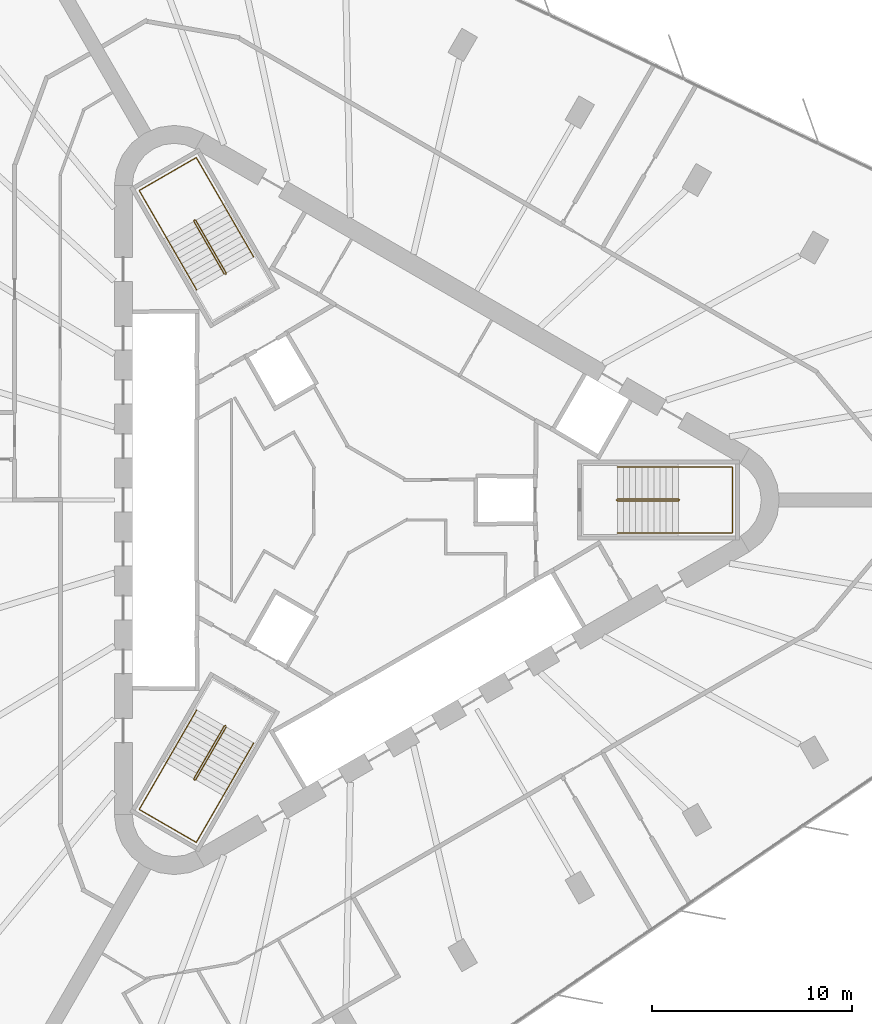
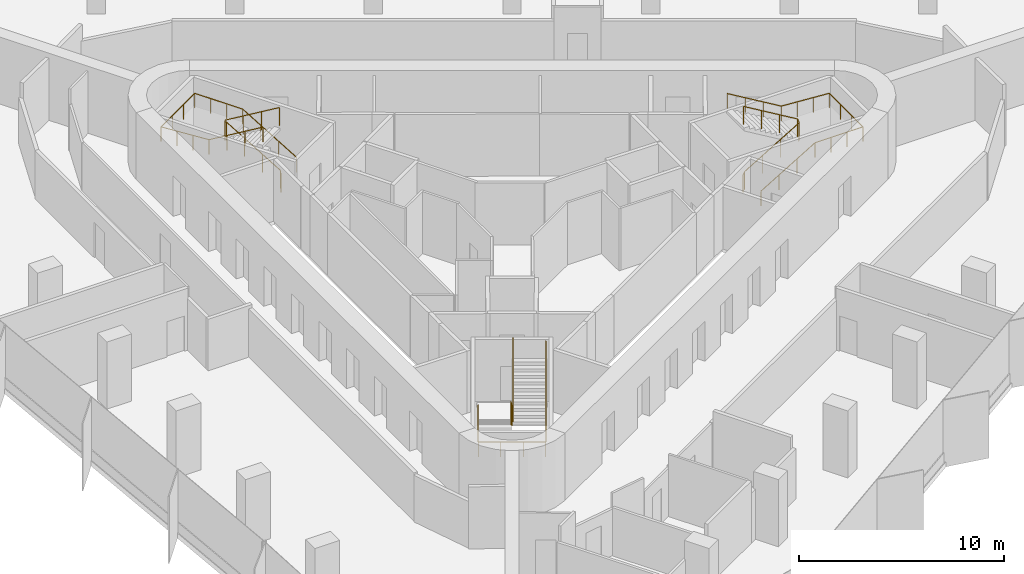
# One storey, part 13 of 13: 6 railings.
"""IFC4 building model written with IfcOpenShell, lengths in metres."""

from ifc_helpers import new_model, si_unit, direction, frame, origin, origin_2d, place, context, subcontext, project, spatial, circle, extrude, material, type_object, element, save


model = new_model("IFC4")

# Units and contexts
model_context = context("Model", 3, precision=1e-05, world=origin(), true_north=direction((0.0, 1.0)))
body_context = subcontext(model_context, "Body", "Model", "MODEL_VIEW")
ifc_project = project(units=[si_unit("LENGTHUNIT", "METRE"), si_unit("AREAUNIT", "SQUARE_METRE"), si_unit("VOLUMEUNIT", "CUBIC_METRE"), si_unit("PLANEANGLEUNIT", "RADIAN"), si_unit("MASSUNIT", "GRAM", prefix="KILO")], contexts=[model_context])

# Site, building, storey
site_placement = place(None, origin())
site = spatial("IfcSite", under=ifc_project, at=site_placement, CompositionType="ELEMENT")
building_placement = place(site_placement, origin())
building = spatial("IfcBuilding", under=site, at=building_placement, Name="Tanit Gate Tower", CompositionType="ELEMENT")
storey_placement = place(building_placement, frame((0.0, 0.0, 185.199951171875)))
storey = spatial("IfcBuildingStorey", under=building, at=storey_placement, Name="L40", CompositionType="ELEMENT", Elevation=185.199951171875)

# Railings
ifc_material_1 = material(Name="Stainless steel balustrade", Category="steel")
railing_type_1 = type_object("IfcRailingType", Name="INT-STAIR-GUARD", PredefinedType="GUARDRAIL", material=ifc_material_1)
railing_1_placement = place(storey_placement, frame((13.044921875, 0.0048828125, 0.0)))
element("IfcRailing", 1, at=railing_1_placement, inside=storey, type_object=railing_type_1, Name="L40 S1 stair guard 1", PredefinedType="GUARDRAIL", context=body_context, shape_type="SweptSolid", body=[
    extrude(circle(Radius=0.02392578125, at=origin_2d()), frame((0.0, 0.0, 1.076171875), z_axis=(0.0, -1.0, 0.0), x_axis=(1.0, 0.0, 0.0)), (0.0, 0.0, 1.0), 0.009765625),
    extrude(circle(Radius=0.02392578125, at=origin_2d()), frame((0.0, -0.009765625, 1.076171875), z_axis=(0.256435381639, -0.256435381639, 0.931923704005), x_axis=(0.707106781187, 0.707106781187, 0.0)), (0.0, 0.0, 1.0), 0.195068359375),
    extrude(circle(Radius=0.02392578125, at=origin_2d()), frame((0.050048828125, -0.059814453125, 1.2578125), z_axis=(0.859041732319, 0.0, 0.511905559781), x_axis=(0.0, 1.0, 0.0)), (0.0, 0.0, 1.0), 3.5517578125),
    extrude(circle(Radius=0.02392578125, at=origin_2d()), frame((3.10107421875, -0.059814453125, 3.076171875), z_axis=(0.707106781187, 0.707106781187, 0.0), x_axis=(-0.707106781187, 0.707106781187, 0.0)), (0.0, 0.0, 1.0), 0.07080078125),
    extrude(circle(Radius=0.02392578125, at=origin_2d()), frame((3.151123046875, -0.009765625, 3.076171875), z_axis=(0.0, 1.0, 0.0), x_axis=(-1.0, 0.0, 0.0)), (0.0, 0.0, 1.0), 0.009765625),
    extrude(circle(Radius=0.02392578125, at=origin_2d()), frame((3.151123046875, 0.0, 3.076171875), z_axis=(-0.256435381639, 0.256435381639, 0.931923704005), x_axis=(-0.707106781187, -0.707106781187, 0.0)), (0.0, 0.0, 1.0), 0.195068359375),
    extrude(circle(Radius=0.02392578125, at=origin_2d()), frame((3.10107421875, 0.050048828125, 3.2578125), z_axis=(-0.859041732319, 0.0, 0.511905559781), x_axis=(0.0, -1.0, 0.0)), (0.0, 0.0, 1.0), 3.5517578125),
    extrude(circle(Radius=0.02099609375, at=origin_2d()), origin(), (0.0, 0.0, 1.0), 1.052001953125),
    extrude(circle(Radius=0.02099609375, at=origin_2d()), frame((0.0, -0.009765625, 0.0)), (0.0, 0.0, 1.0), 1.052001953125),
    extrude(circle(Radius=0.02099609375, at=origin_2d()), frame((0.050048828125, -0.059814453125, 0.181884765625)), (0.0, 0.0, 1.0), 1.052001953125),
    extrude(circle(Radius=0.02099609375, at=origin_2d()), frame((1.067138671875, -0.059814453125, 0.787841796875)), (0.0, 0.0, 1.0), 1.052001953125),
    extrude(circle(Radius=0.02099609375, at=origin_2d()), frame((2.083984375, -0.059814453125, 1.39404296875)), (0.0, 0.0, 1.0), 1.052001953125),
    extrude(circle(Radius=0.02099609375, at=origin_2d()), frame((3.10107421875, -0.059814453125, 2.0)), (0.0, 0.0, 1.0), 1.052001953125),
    extrude(circle(Radius=0.02099609375, at=origin_2d()), frame((3.151123046875, -0.009765625, 2.0)), (0.0, 0.0, 1.0), 1.052001953125),
    extrude(circle(Radius=0.02099609375, at=origin_2d()), frame((3.151123046875, 0.0, 2.0)), (0.0, 0.0, 1.0), 1.052001953125),
    extrude(circle(Radius=0.02099609375, at=origin_2d()), frame((3.10107421875, 0.050048828125, 2.181884765625)), (0.0, 0.0, 1.0), 1.052001953125),
    extrude(circle(Radius=0.02099609375, at=origin_2d()), frame((2.083984375, 0.050048828125, 2.787841796875)), (0.0, 0.0, 1.0), 1.052001953125),
    extrude(circle(Radius=0.02099609375, at=origin_2d()), frame((1.067138671875, 0.050048828125, 3.39404296875)), (0.0, 0.0, 1.0), 1.052001953125),
    extrude(circle(Radius=0.02099609375, at=origin_2d()), frame((0.050048828125, 0.050048828125, 4.0)), (0.0, 0.0, 1.0), 1.052001953125),
])
railing_2_placement = place(storey_placement, frame((-6.527099609375, 11.29345703125, 0.0)))
element("IfcRailing", 2, at=railing_2_placement, inside=storey, type_object=railing_type_1, Name="L40 S2 stair guard 1", PredefinedType="GUARDRAIL", context=body_context, shape_type="SweptSolid", body=[
    extrude(circle(Radius=0.02392578125, at=origin_2d()), frame((0.0, 0.0, 1.076171875), z_axis=(0.868243142124, 0.496138938357, 0.0), x_axis=(-0.496138938357, 0.868243142124, 0.0)), (0.0, 0.0, 1.0), 0.01171875),
    extrude(circle(Radius=0.02392578125, at=origin_2d()), frame((0.01025390625, 0.005859375, 1.076171875), z_axis=(0.093819657636, 0.350260055175, 0.93194193252), x_axis=(-0.965948051503, 0.258736085224, 0.0)), (0.0, 0.0, 1.0), 0.195068359375),
    extrude(circle(Radius=0.02392578125, at=origin_2d()), frame((0.028564453125, 0.07421875, 1.2578125), z_axis=(-0.429472220917, 0.743822504634, 0.512134448226), x_axis=(-0.866012246495, -0.500022788402, 0.0)), (0.0, 0.0, 1.0), 3.550048828125),
    extrude(circle(Radius=0.02392578125, at=origin_2d()), frame((-1.49609375, 2.71484375, 3.076171875), z_axis=(-0.965715946433, 0.259601060869, 0.0), x_axis=(-0.259601060869, -0.965715946433, 0.0)), (0.0, 0.0, 1.0), 0.070556640625),
    extrude(circle(Radius=0.02392578125, at=origin_2d()), frame((-1.564208984375, 2.733154296875, 3.076171875), z_axis=(-0.873197702015, -0.487366159264, 0.0), x_axis=(0.487366159264, -0.873197702015, 0.0)), (0.0, 0.0, 1.0), 0.011962890625),
    extrude(circle(Radius=0.02392578125, at=origin_2d()), frame((-1.57470703125, 2.727294921875, 3.076171875), z_axis=(-0.093819657636, -0.350260055175, 0.93194193252), x_axis=(0.965948051503, -0.258736085224, 0.0)), (0.0, 0.0, 1.0), 0.195068359375),
    extrude(circle(Radius=0.02392578125, at=origin_2d()), frame((-1.593017578125, 2.658935546875, 3.2578125), z_axis=(0.429472220917, -0.743822504634, 0.512134448226), x_axis=(0.866012246495, 0.500022788402, 0.0)), (0.0, 0.0, 1.0), 3.550048828125),
    extrude(circle(Radius=0.02099609375, at=origin_2d()), origin(), (0.0, 0.0, 1.0), 1.052001953125),
    extrude(circle(Radius=0.02099609375, at=origin_2d()), frame((0.01025390625, 0.005859375, 0.0)), (0.0, 0.0, 1.0), 1.052001953125),
    extrude(circle(Radius=0.02099609375, at=origin_2d()), frame((0.028564453125, 0.07421875, 0.181884765625)), (0.0, 0.0, 1.0), 1.052001953125),
    extrude(circle(Radius=0.02099609375, at=origin_2d()), frame((-0.479736328125, 0.954345703125, 0.787841796875)), (0.0, 0.0, 1.0), 1.052001953125),
    extrude(circle(Radius=0.02099609375, at=origin_2d()), frame((-0.98779296875, 1.834716796875, 1.39404296875)), (0.0, 0.0, 1.0), 1.052001953125),
    extrude(circle(Radius=0.02099609375, at=origin_2d()), frame((-1.49609375, 2.71484375, 2.0)), (0.0, 0.0, 1.0), 1.052001953125),
    extrude(circle(Radius=0.02099609375, at=origin_2d()), frame((-1.564208984375, 2.733154296875, 2.0)), (0.0, 0.0, 1.0), 1.052001953125),
    extrude(circle(Radius=0.02099609375, at=origin_2d()), frame((-1.57470703125, 2.727294921875, 2.0)), (0.0, 0.0, 1.0), 1.052001953125),
    extrude(circle(Radius=0.02099609375, at=origin_2d()), frame((-1.593017578125, 2.658935546875, 2.181884765625)), (0.0, 0.0, 1.0), 1.052001953125),
    extrude(circle(Radius=0.02099609375, at=origin_2d()), frame((-1.084716796875, 1.77880859375, 2.787841796875)), (0.0, 0.0, 1.0), 1.052001953125),
    extrude(circle(Radius=0.02099609375, at=origin_2d()), frame((-0.57666015625, 0.8984375, 3.39404296875)), (0.0, 0.0, 1.0), 1.052001953125),
    extrude(circle(Radius=0.02099609375, at=origin_2d()), frame((-0.068359375, 0.018310546875, 4.0)), (0.0, 0.0, 1.0), 1.052001953125),
])
railing_3_placement = place(storey_placement, frame((-6.51806640625, -11.2998046875, 0.0)))
element("IfcRailing", 3, at=railing_3_placement, inside=storey, type_object=railing_type_1, Name="L40 S3 stair guard 1", PredefinedType="GUARDRAIL", context=body_context, shape_type="SweptSolid", body=[
    extrude(circle(Radius=0.02392578125, at=origin_2d()), frame((0.0, 0.0, 1.076171875), z_axis=(-0.874157276122, 0.485642931179, 0.0), x_axis=(-0.485642931179, -0.874157276122, 0.0)), (0.0, 0.0, 1.0), 0.010009765625),
    extrude(circle(Radius=0.02392578125, at=origin_2d()), frame((-0.0087890625, 0.0048828125, 1.076171875), z_axis=(-0.350300895388, -0.092579522353, 0.932050596658), x_axis=(0.255512919477, -0.966805641264, 0.0)), (0.0, 0.0, 1.0), 0.195068359375),
    extrude(circle(Radius=0.02392578125, at=origin_2d()), frame((-0.0771484375, -0.01318359375, 1.2578125), z_axis=(-0.429486674828, -0.743971555965, 0.511905772639), x_axis=(0.866048339477, -0.499960272111, 0.0)), (0.0, 0.0, 1.0), 3.5517578125),
    extrude(circle(Radius=0.02392578125, at=origin_2d()), frame((-1.6025390625, -2.655517578125, 3.076171875), z_axis=(0.258736085224, -0.965948051503, 0.0), x_axis=(0.965948051503, 0.258736085224, 0.0)), (0.0, 0.0, 1.0), 0.07080078125),
    extrude(circle(Radius=0.02392578125, at=origin_2d()), frame((-1.584228515625, -2.723876953125, 3.076171875), z_axis=(0.868243142124, -0.496138938357, 0.0), x_axis=(0.496138938357, 0.868243142124, 0.0)), (0.0, 0.0, 1.0), 0.009765625),
    extrude(circle(Radius=0.02392578125, at=origin_2d()), frame((-1.57568359375, -2.728759765625, 3.076171875), z_axis=(0.350260055175, 0.093819657636, 0.93194193252), x_axis=(-0.258736085224, 0.965948051503, 0.0)), (0.0, 0.0, 1.0), 0.195068359375),
    extrude(circle(Radius=0.02392578125, at=origin_2d()), frame((-1.50732421875, -2.71044921875, 3.2578125), z_axis=(0.429564698942, 0.743918894535, 0.511916836777), x_axis=(-0.865993683553, 0.500054937028, 0.0)), (0.0, 0.0, 1.0), 3.551513671875),
    extrude(circle(Radius=0.02099609375, at=origin_2d()), origin(), (0.0, 0.0, 1.0), 1.052001953125),
    extrude(circle(Radius=0.02099609375, at=origin_2d()), frame((-0.0087890625, 0.0048828125, 0.0)), (0.0, 0.0, 1.0), 1.052001953125),
    extrude(circle(Radius=0.02099609375, at=origin_2d()), frame((-0.0771484375, -0.01318359375, 0.181884765625)), (0.0, 0.0, 1.0), 1.052001953125),
    extrude(circle(Radius=0.02099609375, at=origin_2d()), frame((-0.585693359375, -0.89404296875, 0.787841796875)), (0.0, 0.0, 1.0), 1.052001953125),
    extrude(circle(Radius=0.02099609375, at=origin_2d()), frame((-1.093994140625, -1.774658203125, 1.39404296875)), (0.0, 0.0, 1.0), 1.052001953125),
    extrude(circle(Radius=0.02099609375, at=origin_2d()), frame((-1.6025390625, -2.655517578125, 2.0)), (0.0, 0.0, 1.0), 1.052001953125),
    extrude(circle(Radius=0.02099609375, at=origin_2d()), frame((-1.584228515625, -2.723876953125, 2.0)), (0.0, 0.0, 1.0), 1.052001953125),
    extrude(circle(Radius=0.02099609375, at=origin_2d()), frame((-1.57568359375, -2.728759765625, 2.0)), (0.0, 0.0, 1.0), 1.052001953125),
    extrude(circle(Radius=0.02099609375, at=origin_2d()), frame((-1.50732421875, -2.71044921875, 2.181884765625)), (0.0, 0.0, 1.0), 1.052001953125),
    extrude(circle(Radius=0.02099609375, at=origin_2d()), frame((-0.998779296875, -1.829833984375, 2.787841796875)), (0.0, 0.0, 1.0), 1.052001953125),
    extrude(circle(Radius=0.02099609375, at=origin_2d()), frame((-0.490234375, -0.948974609375, 3.39404296875)), (0.0, 0.0, 1.0), 1.052001953125),
    extrude(circle(Radius=0.02099609375, at=origin_2d()), frame((0.018310546875, -0.068359375, 4.0)), (0.0, 0.0, 1.0), 1.052001953125),
])
ifc_material_2 = material(Name="Stainless steel handrail", Category="steel")
railing_type_2 = type_object("IfcRailingType", Name="INT-STAIR-HANDRAIL", PredefinedType="HANDRAIL", material=ifc_material_2)
railing_4_placement = place(storey_placement, frame((13.094970703125, -1.64990234375, 0.181884765625)))
element("IfcRailing", 4, at=railing_4_placement, inside=storey, type_object=railing_type_2, Name="L40 S1 stair handrail 1", PredefinedType="HANDRAIL", context=body_context, shape_type="SweptSolid", body=[
    extrude(circle(Radius=0.02392578125, at=origin_2d()), frame((0.0, 0.0, 0.8759765625), z_axis=(0.859041732319, 0.0, 0.511905559781), x_axis=(0.0, 1.0, 0.0)), (0.0, 0.0, 1.0), 3.5517578125),
    extrude(circle(Radius=0.02392578125, at=origin_2d()), frame((3.051025390625, 0.0, 2.69384765625), z_axis=(1.0, 0.0, 0.0), x_axis=(0.0, 1.0, 0.0)), (0.0, 0.0, 1.0), 2.7041015625),
    extrude(circle(Radius=0.02392578125, at=origin_2d()), frame((5.755126953125, 0.0, 2.69384765625), z_axis=(0.0, 1.0, 0.0), x_axis=(-1.0, 0.0, 0.0)), (0.0, 0.0, 1.0), 3.2998046875),
    extrude(circle(Radius=0.02392578125, at=origin_2d()), frame((5.755126953125, 3.2998046875, 2.69384765625), z_axis=(-0.997745521698, 0.0, 0.067110907698), x_axis=(0.0, -1.0, 0.0)), (0.0, 0.0, 1.0), 2.710205078125),
    extrude(circle(Radius=0.02392578125, at=origin_2d()), frame((3.051025390625, 3.2998046875, 2.8759765625), z_axis=(-0.859041732319, 0.0, 0.511905559781), x_axis=(0.0, -1.0, 0.0)), (0.0, 0.0, 1.0), 3.5517578125),
    extrude(circle(Radius=0.02099609375, at=origin_2d()), origin(), (0.0, 0.0, 1.0), 0.851806640625),
    extrude(circle(Radius=0.02099609375, at=origin_2d()), frame((1.01708984375, 0.0, 0.60595703125)), (0.0, 0.0, 1.0), 0.851806640625),
    extrude(circle(Radius=0.02099609375, at=origin_2d()), frame((2.033935546875, 0.0, 1.212158203125)), (0.0, 0.0, 1.0), 0.851806640625),
    extrude(circle(Radius=0.02099609375, at=origin_2d()), frame((3.051025390625, 0.0, 1.818115234375)), (0.0, 0.0, 1.0), 0.851806640625),
    extrude(circle(Radius=0.02099609375, at=origin_2d()), frame((3.952392578125, 0.0, 1.818115234375)), (0.0, 0.0, 1.0), 0.851806640625),
    extrude(circle(Radius=0.02099609375, at=origin_2d()), frame((4.853759765625, 0.0, 1.818115234375)), (0.0, 0.0, 1.0), 0.851806640625),
    extrude(circle(Radius=0.02099609375, at=origin_2d()), frame((5.755126953125, 0.0, 1.818115234375)), (0.0, 0.0, 1.0), 0.851806640625),
    extrude(circle(Radius=0.02099609375, at=origin_2d()), frame((5.755126953125, 1.099853515625, 1.818115234375)), (0.0, 0.0, 1.0), 0.851806640625),
    extrude(circle(Radius=0.02099609375, at=origin_2d()), frame((5.755126953125, 2.199951171875, 1.818115234375)), (0.0, 0.0, 1.0), 0.851806640625),
    extrude(circle(Radius=0.02099609375, at=origin_2d()), frame((5.755126953125, 3.2998046875, 1.818115234375)), (0.0, 0.0, 1.0), 0.851806640625),
    extrude(circle(Radius=0.02099609375, at=origin_2d()), frame((4.853759765625, 3.2998046875, 1.878662109375)), (0.0, 0.0, 1.0), 0.851806640625),
    extrude(circle(Radius=0.02099609375, at=origin_2d()), frame((3.952392578125, 3.2998046875, 1.939453125)), (0.0, 0.0, 1.0), 0.851806640625),
    extrude(circle(Radius=0.02099609375, at=origin_2d()), frame((3.051025390625, 3.2998046875, 2.0)), (0.0, 0.0, 1.0), 0.851806640625),
    extrude(circle(Radius=0.02099609375, at=origin_2d()), frame((2.033935546875, 3.2998046875, 2.60595703125)), (0.0, 0.0, 1.0), 0.851806640625),
    extrude(circle(Radius=0.02099609375, at=origin_2d()), frame((1.01708984375, 3.2998046875, 3.212158203125)), (0.0, 0.0, 1.0), 0.851806640625),
    extrude(circle(Radius=0.02099609375, at=origin_2d()), frame((0.0, 3.2998046875, 3.818115234375)), (0.0, 0.0, 1.0), 0.851806640625),
])
railing_5_placement = place(storey_placement, frame((-5.1181640625, 12.164794921875, 0.181884765625)))
element("IfcRailing", 5, at=railing_5_placement, inside=storey, type_object=railing_type_2, Name="L40 S2 stair handrail 1", PredefinedType="HANDRAIL", context=body_context, shape_type="SweptSolid", body=[
    extrude(circle(Radius=0.02392578125, at=origin_2d()), frame((0.0, 0.0, 0.8759765625), z_axis=(-0.429416132344, 0.743844472684, 0.512149573602), x_axis=(-0.866046917185, -0.499962735845, 0.0)), (0.0, 0.0, 1.0), 3.550048828125),
    extrude(circle(Radius=0.02392578125, at=origin_2d()), frame((-1.5244140625, 2.640625, 2.69384765625), z_axis=(-0.500019123664, 0.86601436245, 0.0), x_axis=(-0.86601436245, -0.500019123664, 0.0)), (0.0, 0.0, 1.0), 2.70703125),
    extrude(circle(Radius=0.02392578125, at=origin_2d()), frame((-2.8779296875, 4.98486328125, 2.69384765625), z_axis=(-0.866008176907, -0.50002983664, 0.0), x_axis=(0.50002983664, -0.866008176907, 0.0)), (0.0, 0.0, 1.0), 3.300048828125),
    extrude(circle(Radius=0.02392578125, at=origin_2d()), frame((-5.73583984375, 3.334716796875, 2.69384765625), z_axis=(0.498932980467, -0.864043208057, 0.067046369128), x_axis=(0.865991810323, 0.500058181068, 0.0)), (0.0, 0.0, 1.0), 2.712890625),
    extrude(circle(Radius=0.02392578125, at=origin_2d()), frame((-4.38232421875, 0.99072265625, 2.8759765625), z_axis=(0.429450252752, -0.743853224023, 0.512108251761), x_axis=(0.866032263162, 0.499988119021, 0.0)), (0.0, 0.0, 1.0), 3.55029296875),
    extrude(circle(Radius=0.02099609375, at=origin_2d()), origin(), (0.0, 0.0, 1.0), 0.851806640625),
    extrude(circle(Radius=0.02099609375, at=origin_2d()), frame((-0.508056640625, 0.880126953125, 0.60595703125)), (0.0, 0.0, 1.0), 0.851806640625),
    extrude(circle(Radius=0.02099609375, at=origin_2d()), frame((-1.016357421875, 1.760498046875, 1.212158203125)), (0.0, 0.0, 1.0), 0.851806640625),
    extrude(circle(Radius=0.02099609375, at=origin_2d()), frame((-1.5244140625, 2.640625, 1.818115234375)), (0.0, 0.0, 1.0), 0.851806640625),
    extrude(circle(Radius=0.02099609375, at=origin_2d()), frame((-1.9755859375, 3.422119140625, 1.818115234375)), (0.0, 0.0, 1.0), 0.851806640625),
    extrude(circle(Radius=0.02099609375, at=origin_2d()), frame((-2.4267578125, 4.203369140625, 1.818115234375)), (0.0, 0.0, 1.0), 0.851806640625),
    extrude(circle(Radius=0.02099609375, at=origin_2d()), frame((-2.8779296875, 4.98486328125, 1.818115234375)), (0.0, 0.0, 1.0), 0.851806640625),
    extrude(circle(Radius=0.02099609375, at=origin_2d()), frame((-3.83056640625, 4.434814453125, 1.818115234375)), (0.0, 0.0, 1.0), 0.851806640625),
    extrude(circle(Radius=0.02099609375, at=origin_2d()), frame((-4.783203125, 3.884765625, 1.818115234375)), (0.0, 0.0, 1.0), 0.851806640625),
    extrude(circle(Radius=0.02099609375, at=origin_2d()), frame((-5.73583984375, 3.334716796875, 1.818115234375)), (0.0, 0.0, 1.0), 0.851806640625),
    extrude(circle(Radius=0.02099609375, at=origin_2d()), frame((-5.28466796875, 2.553466796875, 1.878662109375)), (0.0, 0.0, 1.0), 0.851806640625),
    extrude(circle(Radius=0.02099609375, at=origin_2d()), frame((-4.83349609375, 1.77197265625, 1.939453125)), (0.0, 0.0, 1.0), 0.851806640625),
    extrude(circle(Radius=0.02099609375, at=origin_2d()), frame((-4.38232421875, 0.99072265625, 2.0)), (0.0, 0.0, 1.0), 0.851806640625),
    extrude(circle(Radius=0.02099609375, at=origin_2d()), frame((-3.8740234375, 0.1103515625, 2.60595703125)), (0.0, 0.0, 1.0), 0.851806640625),
    extrude(circle(Radius=0.02099609375, at=origin_2d()), frame((-3.365966796875, -0.769775390625, 3.212158203125)), (0.0, 0.0, 1.0), 0.851806640625),
    extrude(circle(Radius=0.02099609375, at=origin_2d()), frame((-2.857666015625, -1.650146484375, 3.818115234375)), (0.0, 0.0, 1.0), 0.851806640625),
])
railing_6_placement = place(storey_placement, frame((-7.9765625, -10.515625, 0.181884765625)))
element("IfcRailing", 6, at=railing_6_placement, inside=storey, type_object=railing_type_2, Name="L40 S3 stair handrail 1", PredefinedType="HANDRAIL", context=body_context, shape_type="SweptSolid", body=[
    extrude(circle(Radius=0.02392578125, at=origin_2d()), frame((0.0, 0.0, 0.8759765625), z_axis=(-0.429486674828, -0.743971555965, 0.511905772639), x_axis=(0.866048339477, -0.499960272111, 0.0)), (0.0, 0.0, 1.0), 3.5517578125),
    extrude(circle(Radius=0.02392578125, at=origin_2d()), frame((-1.525390625, -2.642333984375, 2.69384765625), z_axis=(-0.50004290449, -0.866000631449, 0.0), x_axis=(0.866000631449, -0.50004290449, 0.0)), (0.0, 0.0, 1.0), 2.703857421875),
    extrude(circle(Radius=0.02392578125, at=origin_2d()), frame((-2.87744140625, -4.98388671875, 2.69384765625), z_axis=(0.866008176907, -0.50002983664, 0.0), x_axis=(0.50002983664, 0.866008176907, 0.0)), (0.0, 0.0, 1.0), 3.300048828125),
    extrude(circle(Radius=0.02392578125, at=origin_2d()), frame((-0.01953125, -6.634033203125, 2.69384765625), z_axis=(0.498876541924, 0.864070745781, 0.067111416348), x_axis=(-0.866023205937, 0.500003806764, 0.0)), (0.0, 0.0, 1.0), 2.710205078125),
    extrude(circle(Radius=0.02392578125, at=origin_2d()), frame((1.33251953125, -4.292236328125, 2.8759765625), z_axis=(0.429486674828, 0.743971555965, 0.511905772639), x_axis=(-0.866048339477, 0.499960272111, 0.0)), (0.0, 0.0, 1.0), 3.5517578125),
    extrude(circle(Radius=0.02099609375, at=origin_2d()), origin(), (0.0, 0.0, 1.0), 0.851806640625),
    extrude(circle(Radius=0.02099609375, at=origin_2d()), frame((-0.508544921875, -0.880859375, 0.60595703125)), (0.0, 0.0, 1.0), 0.851806640625),
    extrude(circle(Radius=0.02099609375, at=origin_2d()), frame((-1.016845703125, -1.761474609375, 1.212158203125)), (0.0, 0.0, 1.0), 0.851806640625),
    extrude(circle(Radius=0.02099609375, at=origin_2d()), frame((-1.525390625, -2.642333984375, 1.818115234375)), (0.0, 0.0, 1.0), 0.851806640625),
    extrude(circle(Radius=0.02099609375, at=origin_2d()), frame((-1.97607421875, -3.4228515625, 1.818115234375)), (0.0, 0.0, 1.0), 0.851806640625),
    extrude(circle(Radius=0.02099609375, at=origin_2d()), frame((-2.4267578125, -4.203369140625, 1.818115234375)), (0.0, 0.0, 1.0), 0.851806640625),
    extrude(circle(Radius=0.02099609375, at=origin_2d()), frame((-2.87744140625, -4.98388671875, 1.818115234375)), (0.0, 0.0, 1.0), 0.851806640625),
    extrude(circle(Radius=0.02099609375, at=origin_2d()), frame((-1.9248046875, -5.533935546875, 1.818115234375)), (0.0, 0.0, 1.0), 0.851806640625),
    extrude(circle(Radius=0.02099609375, at=origin_2d()), frame((-0.97216796875, -6.083984375, 1.818115234375)), (0.0, 0.0, 1.0), 0.851806640625),
    extrude(circle(Radius=0.02099609375, at=origin_2d()), frame((-0.01953125, -6.634033203125, 1.818115234375)), (0.0, 0.0, 1.0), 0.851806640625),
    extrude(circle(Radius=0.02099609375, at=origin_2d()), frame((0.43115234375, -5.853515625, 1.878662109375)), (0.0, 0.0, 1.0), 0.851806640625),
    extrude(circle(Radius=0.02099609375, at=origin_2d()), frame((0.8818359375, -5.07275390625, 1.939453125)), (0.0, 0.0, 1.0), 0.851806640625),
    extrude(circle(Radius=0.02099609375, at=origin_2d()), frame((1.33251953125, -4.292236328125, 2.0)), (0.0, 0.0, 1.0), 0.851806640625),
    extrude(circle(Radius=0.02099609375, at=origin_2d()), frame((1.841064453125, -3.411376953125, 2.60595703125)), (0.0, 0.0, 1.0), 0.851806640625),
    extrude(circle(Radius=0.02099609375, at=origin_2d()), frame((2.349365234375, -2.53076171875, 3.212158203125)), (0.0, 0.0, 1.0), 0.851806640625),
    extrude(circle(Radius=0.02099609375, at=origin_2d()), frame((2.85791015625, -1.64990234375, 3.818115234375)), (0.0, 0.0, 1.0), 0.851806640625),
])

save(model, "model.ifc")
